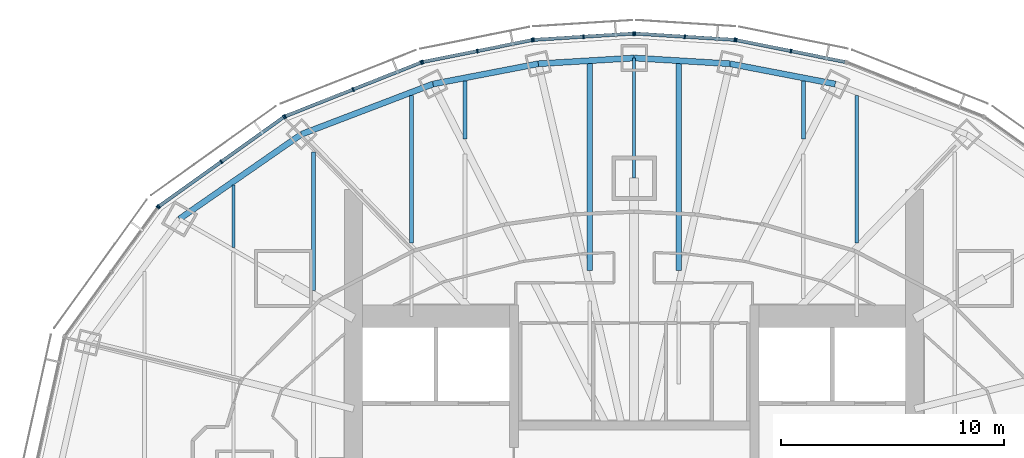
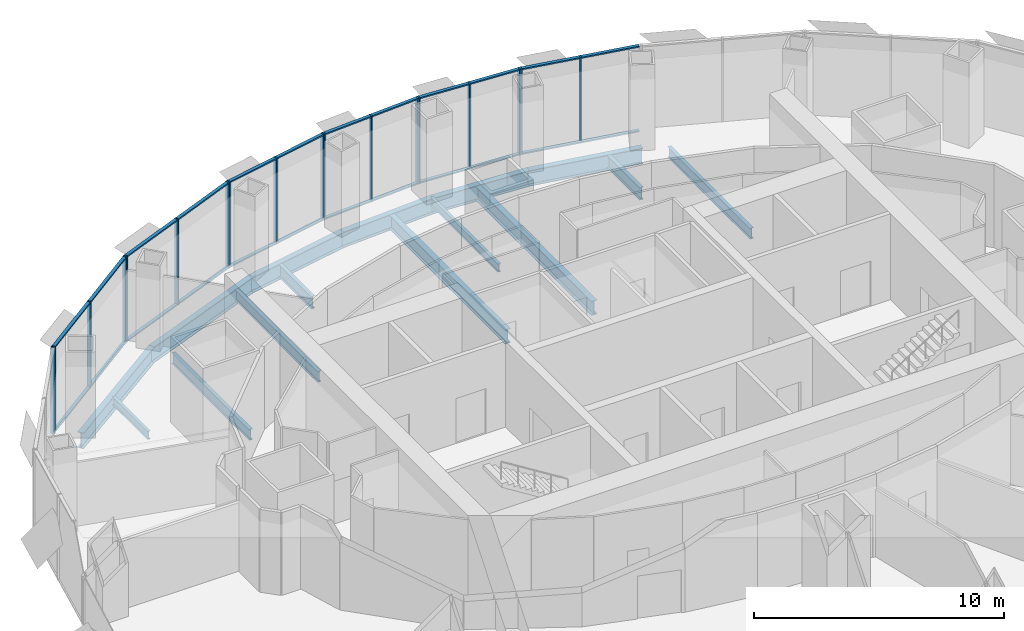
# One storey, part 8 of 17: 42 members, 15 beams, 7 elements without a shape of their own.
"""IFC4 building model written with IfcOpenShell, lengths in metres."""

from ifc_helpers import new_model, si_unit, direction, frame, origin, origin_2d, place, context, subcontext, project, spatial, rectangle, i_section, extrude, material, material_profile, profile_set, type_object, element, aggregate, save


model = new_model("IFC4")

# Units and contexts
model_context = context("Model", 3, precision=1e-05, world=origin(), true_north=direction((0.0, 1.0)))
body_context = subcontext(model_context, "Body", "Model", "MODEL_VIEW")
ifc_project = project(units=[si_unit("LENGTHUNIT", "METRE"), si_unit("AREAUNIT", "SQUARE_METRE"), si_unit("VOLUMEUNIT", "CUBIC_METRE"), si_unit("PLANEANGLEUNIT", "RADIAN"), si_unit("MASSUNIT", "GRAM", prefix="KILO")], contexts=[model_context])

# Site, building, storey
site_placement = place(None, origin())
site = spatial("IfcSite", under=ifc_project, at=site_placement, CompositionType="ELEMENT")
building_placement = place(site_placement, origin())
building = spatial("IfcBuilding", under=site, at=building_placement, Name="Lantaw Convention Tower", CompositionType="ELEMENT")
storey_placement = place(building_placement, frame((0.0, 0.0, 224.199951171875)))
storey = spatial("IfcBuildingStorey", under=building, at=storey_placement, Name="L52", CompositionType="ELEMENT", Elevation=224.199951171875)

# Beams
ifc_material_1 = material(Name="Steel ASTM A992", Category="steel")
ifc_material_profile_1 = material_profile(ifc_material_1, i_section(OverallWidth=0.2666015625, OverallDepth=0.76953125, WebThickness=0.015625, FlangeThickness=0.025390625, FilletRadius=0.0126953125, at=origin_2d()), Name="W30X132")
ifc_profile_set_1 = profile_set([ifc_material_profile_1], Name="Steel ASTM A992")
beam_type_1 = type_object("IfcBeamType", Name="Beam E W30X132", PredefinedType="SPANDREL", material=ifc_profile_set_1)
beam_1_placement = place(storey_placement, frame((9.03466796875, 17.7314453125, -0.53466796875), z_axis=(-0.981972091702, 0.189025953556, 0.0), x_axis=(-0.189025953556, -0.981972091702, 0.0)))
element("IfcBeam", 1, at=beam_1_placement, inside=storey, type_object=beam_type_1, Name="Edge beam 5", PredefinedType="SPANDREL", context=body_context, shape_type="SweptSolid", body=[
    extrude(i_section(OverallWidth=0.2666015625, OverallDepth=0.76953125, WebThickness=0.015625, FlangeThickness=0.025390625, FilletRadius=0.0126953125, at=origin_2d()), origin(), (0.0, 0.0, 1.0), 4.817626953125),
])
for number, where, z_axis, x_axis, name in (
    (2, (4.303955078125, 18.64208984375, -0.53466796875), (-0.998210730897, 0.059794119452, 0.0), (-0.059794119452, -0.998210730897, 0.0), "Edge beam 6"),
    (3, (0.0, 18.89990234375, -0.53466796875), (-0.998210730897, -0.059794119452, 0.0), (0.059794119452, -0.998210730897, 0.0), "Edge beam 7"),
):
    element("IfcBeam", number, at=place(storey_placement, frame(where, z_axis=z_axis, x_axis=x_axis)), inside=storey, type_object=beam_type_1, Name=name, PredefinedType="SPANDREL", context=body_context, shape_type="SweptSolid", body=[
        extrude(i_section(OverallWidth=0.2666015625, OverallDepth=0.76953125, WebThickness=0.015625, FlangeThickness=0.025390625, FilletRadius=0.0126953125, at=origin_2d()), origin(), (0.0, 0.0, 1.0), 4.311767578125),
    ])
beam_2_placement = place(storey_placement, frame((-4.303955078125, 18.64208984375, -0.53466796875), z_axis=(-0.981972091702, -0.189025953556, 0.0), x_axis=(0.189025953556, -0.981972091702, 0.0)))
element("IfcBeam", 4, at=beam_2_placement, inside=storey, type_object=beam_type_1, Name="Edge beam 8", PredefinedType="SPANDREL", context=body_context, shape_type="SweptSolid", body=[
    extrude(i_section(OverallWidth=0.2666015625, OverallDepth=0.76953125, WebThickness=0.015625, FlangeThickness=0.025390625, FilletRadius=0.0126953125, at=origin_2d()), origin(), (0.0, 0.0, 1.0), 4.817626953125),
])
beam_3_placement = place(storey_placement, frame((-9.03466796875, 17.7314453125, -0.53466796875), z_axis=(-0.934234988, -0.356658081637, 0.0), x_axis=(0.356658081637, -0.934234988, 0.0)))
element("IfcBeam", 5, at=beam_3_placement, inside=storey, type_object=beam_type_1, Name="Edge beam 9", PredefinedType="SPANDREL", context=body_context, shape_type="SweptSolid", body=[
    extrude(i_section(OverallWidth=0.2666015625, OverallDepth=0.76953125, WebThickness=0.015625, FlangeThickness=0.025390625, FilletRadius=0.0126953125, at=origin_2d()), origin(), (0.0, 0.0, 1.0), 6.32568359375),
])
beam_4_placement = place(storey_placement, frame((-14.9443359375, 15.475341796875, -0.53466796875), z_axis=(-0.82135329406, -0.570419815869, 0.0), x_axis=(0.570419815869, -0.82135329406, 0.0)))
element("IfcBeam", 6, at=beam_4_placement, inside=storey, type_object=beam_type_1, Name="Edge beam 10", PredefinedType="SPANDREL", context=body_context, shape_type="SweptSolid", body=[
    extrude(i_section(OverallWidth=0.2666015625, OverallDepth=0.76953125, WebThickness=0.015625, FlangeThickness=0.025390625, FilletRadius=0.0126953125, at=origin_2d()), origin(), (0.0, 0.0, 1.0), 6.67041015625),
])
ifc_material_profile_2 = material_profile(ifc_material_1, i_section(OverallWidth=0.140380859375, OverallDepth=0.40380859375, WebThickness=0.007080078125, FlangeThickness=0.01123046875, FilletRadius=0.01025390625, at=origin_2d()), Name="W16X31")
ifc_profile_set_2 = profile_set([ifc_material_profile_2], Name="Steel ASTM A992")
beam_type_2 = type_object("IfcBeamType", Name="Beam G W16X31", PredefinedType="BEAM", material=ifc_profile_set_2)
beam_5_placement = place(storey_placement, frame((0.0, 13.5, -0.351806640625), z_axis=(0.0, 1.0, 0.0), x_axis=(-1.0, 0.0, 0.0)))
element("IfcBeam", 7, at=beam_5_placement, inside=storey, type_object=beam_type_2, Name="Floor girder on ray 7", PredefinedType="BEAM", context=body_context, shape_type="SweptSolid", body=[
    extrude(i_section(OverallWidth=0.140380859375, OverallDepth=0.40380859375, WebThickness=0.007080078125, FlangeThickness=0.01123046875, FilletRadius=0.01025390625, at=origin_2d()), origin(), (0.0, 0.0, 1.0), 5.39990234375),
])
ifc_material_profile_3 = material_profile(ifc_material_1, i_section(OverallWidth=0.140380859375, OverallDepth=0.40380859375, WebThickness=0.007080078125, FlangeThickness=0.01123046875, FilletRadius=0.01025390625, at=origin_2d()), Name="W16X31")
ifc_profile_set_3 = profile_set([ifc_material_profile_3], Name="Steel ASTM A992")
beam_type_3 = type_object("IfcBeamType", Name="Beam J W16X31", PredefinedType="JOIST", material=ifc_profile_set_3)
beam_6_placement = place(storey_placement, frame((-18.0, 10.380859375, -0.351806640625), z_axis=(0.0, 1.0, 0.0), x_axis=(-1.0, 0.0, 0.0)))
element("IfcBeam", 8, at=beam_6_placement, inside=storey, type_object=beam_type_3, Name="Floor joist", PredefinedType="JOIST", context=body_context, shape_type="SweptSolid", body=[
    extrude(i_section(OverallWidth=0.140380859375, OverallDepth=0.40380859375, WebThickness=0.007080078125, FlangeThickness=0.01123046875, FilletRadius=0.01025390625, at=origin_2d()), origin(), (0.0, 0.0, 1.0), 2.81005859375),
])
ifc_material_profile_4 = material_profile(ifc_material_1, i_section(OverallWidth=0.1650390625, OverallDepth=0.52587890625, WebThickness=0.0087890625, FlangeThickness=0.011474609375, FilletRadius=0.0126953125, at=origin_2d()), Name="W21X44")
ifc_profile_set_4 = profile_set([ifc_material_profile_4], Name="Steel ASTM A992")
beam_type_4 = type_object("IfcBeamType", Name="Beam J W21X44", PredefinedType="JOIST", material=ifc_profile_set_4)
beam_7_placement = place(storey_placement, frame((-14.39990234375, 8.461181640625, -0.412841796875), z_axis=(0.0, 1.0, 0.0), x_axis=(-1.0, 0.0, 0.0)))
element("IfcBeam", 9, at=beam_7_placement, inside=storey, type_object=beam_type_4, Name="Floor joist", PredefinedType="JOIST", context=body_context, shape_type="SweptSolid", body=[
    extrude(i_section(OverallWidth=0.1650390625, OverallDepth=0.52587890625, WebThickness=0.0087890625, FlangeThickness=0.011474609375, FilletRadius=0.0126953125, at=origin_2d()), origin(), (0.0, 0.0, 1.0), 6.214599609375),
])
for number, where, z_axis, x_axis, name in (
    (10, (-10.0, 10.591064453125, -0.412841796875), (0.0, 1.0, 0.0), (-1.0, 0.0, 0.0), "Floor joist"),
    (11, (10.0, 10.591064453125, -0.412841796875), (0.0, 1.0, 0.0), (-1.0, 0.0, 0.0), "Floor joist"),
):
    element("IfcBeam", number, at=place(storey_placement, frame(where, z_axis=z_axis, x_axis=x_axis)), inside=storey, type_object=beam_type_4, Name=name, PredefinedType="JOIST", context=body_context, shape_type="SweptSolid", body=[
        extrude(i_section(OverallWidth=0.1650390625, OverallDepth=0.52587890625, WebThickness=0.0087890625, FlangeThickness=0.011474609375, FilletRadius=0.0126953125, at=origin_2d()), origin(), (0.0, 0.0, 1.0), 6.629150390625),
    ])
ifc_material_profile_5 = material_profile(ifc_material_1, i_section(OverallWidth=0.177978515625, OverallDepth=0.599365234375, WebThickness=0.010009765625, FlangeThickness=0.012939453125, FilletRadius=0.012939453125, at=origin_2d()), Name="W24X55")
ifc_profile_set_5 = profile_set([ifc_material_profile_5], Name="Steel ASTM A992")
beam_type_5 = type_object("IfcBeamType", Name="Beam J W24X55", PredefinedType="JOIST", material=ifc_profile_set_5)
for number, where, z_axis, x_axis, name in (
    (12, (-7.60009765625, 15.25439453125, -0.44970703125), (0.0, 1.0, 0.0), (-1.0, 0.0, 0.0), "Floor joist"),
    (13, (7.60009765625, 15.25439453125, -0.44970703125), (0.0, 1.0, 0.0), (-1.0, 0.0, 0.0), "Floor joist"),
):
    element("IfcBeam", number, at=place(storey_placement, frame(where, z_axis=z_axis, x_axis=x_axis)), inside=storey, type_object=beam_type_5, Name=name, PredefinedType="JOIST", context=body_context, shape_type="SweptSolid", body=[
        extrude(i_section(OverallWidth=0.177978515625, OverallDepth=0.599365234375, WebThickness=0.010009765625, FlangeThickness=0.012939453125, FilletRadius=0.012939453125, at=origin_2d()), origin(), (0.0, 0.0, 1.0), 2.617431640625),
    ])
ifc_material_profile_6 = material_profile(ifc_material_1, i_section(OverallWidth=0.25390625, OverallDepth=0.683349609375, WebThickness=0.012451171875, FlangeThickness=0.01904296875, FilletRadius=0.01513671875, at=origin_2d()), Name="W27X94")
ifc_profile_set_6 = profile_set([ifc_material_profile_6], Name="Steel ASTM A992")
beam_type_6 = type_object("IfcBeamType", Name="Beam J W27X94", PredefinedType="JOIST", material=ifc_profile_set_6)
for number, where, z_axis, x_axis, name in (
    (14, (-2.0, 9.34619140625, -0.49169921875), (0.0, 1.0, 0.0), (-1.0, 0.0, 0.0), "Floor joist"),
    (15, (2.0, 9.34619140625, -0.49169921875), (0.0, 1.0, 0.0), (-1.0, 0.0, 0.0), "Floor joist"),
):
    element("IfcBeam", number, at=place(storey_placement, frame(where, z_axis=z_axis, x_axis=x_axis)), inside=storey, type_object=beam_type_6, Name=name, PredefinedType="JOIST", context=body_context, shape_type="SweptSolid", body=[
        extrude(i_section(OverallWidth=0.25390625, OverallDepth=0.683349609375, WebThickness=0.012451171875, FlangeThickness=0.01904296875, FilletRadius=0.01513671875, at=origin_2d()), origin(), (0.0, 0.0, 1.0), 9.30029296875),
    ])

# Curtain wall, members
ifc_material_2 = material(Name="Aluminium framed curtain wall", Category="aluminium")
curtain_wall_type = type_object("IfcCurtainWallType", Name="Office curtain wall high rise, pale aluminium", PredefinedType="USERDEFINED", material=ifc_material_2)
curtain_wall_1_placement = place(storey_placement, origin())
curtain_wall_1 = element("IfcCurtainWall", 16, at=curtain_wall_1_placement, inside=storey, type_object=curtain_wall_type, Name="Office curtain wall high rise, pale aluminium L52", ObjectType="UNITISED CURTAIN WALL", PredefinedType="USERDEFINED")
ifc_material_3 = material(Name="Aluminium 6063-T6", Category="aluminium")
ifc_material_profile_7 = material_profile(ifc_material_3, rectangle(XDim=0.179931640625, YDim=0.06494140625, at=origin_2d()), Name="CW-O2 mullion 65x180")
ifc_profile_set_7 = profile_set([ifc_material_profile_7], Name="Aluminium 6063-T6")
member_type_1 = type_object("IfcMemberType", Name="CW-O2 mullion 65x180", PredefinedType="MULLION", material=ifc_profile_set_7)
member_1_placement = place(storey_placement, frame((7.042724609375, 19.212646484375, -0.14990234375), z_axis=(0.0, 0.0, 1.0), x_axis=(-0.197183095987, -0.980366679695, 0.0)))
member_1 = element("IfcMember", 17, at=member_1_placement, type_object=member_type_1, Name="CW-O2 mullion 2", PredefinedType="MULLION", context=body_context, shape_type="SweptSolid", body=[
    extrude(rectangle(XDim=0.179931640625, YDim=0.06494140625, at=origin_2d()), origin(), (0.0, 0.0, 1.0), 4.199951171875),
])
member_2_placement = place(storey_placement, frame((4.583251953125, 19.70751953125, -0.14990234375), z_axis=(0.0, 0.0, 1.0), x_axis=(-0.197183095987, -0.980366679695, 0.0)))
member_2 = element("IfcMember", 18, at=member_2_placement, type_object=member_type_1, Name="CW-O2 mullion 3", PredefinedType="MULLION", context=body_context, shape_type="SweptSolid", body=[
    extrude(rectangle(XDim=0.179931640625, YDim=0.06494140625, at=origin_2d()), origin(), (0.0, 0.0, 1.0), 4.199951171875),
])

curtain_wall_2_placement = place(storey_placement, origin())
curtain_wall_2 = element("IfcCurtainWall", 19, at=curtain_wall_2_placement, inside=storey, type_object=curtain_wall_type, Name="Office curtain wall high rise, pale aluminium L52", ObjectType="UNITISED CURTAIN WALL", PredefinedType="USERDEFINED")
member_3_placement = place(storey_placement, frame((4.518798828125, 19.7158203125, -0.14990234375), z_axis=(0.0, 0.0, 1.0), x_axis=(-0.062757983884, -0.998028774865, 0.0)))
member_3 = element("IfcMember", 20, at=member_3_placement, type_object=member_type_1, Name="CW-O2 mullion 1", PredefinedType="MULLION", context=body_context, shape_type="SweptSolid", body=[
    extrude(rectangle(XDim=0.179931640625, YDim=0.06494140625, at=origin_2d()), origin(), (0.0, 0.0, 1.0), 4.199951171875),
])
member_4_placement = place(storey_placement, frame((2.275634765625, 19.85693359375, -0.14990234375), z_axis=(0.0, 0.0, 1.0), x_axis=(-0.062757983884, -0.998028774865, 0.0)))
member_4 = element("IfcMember", 21, at=member_4_placement, type_object=member_type_1, Name="CW-O2 mullion 2", PredefinedType="MULLION", context=body_context, shape_type="SweptSolid", body=[
    extrude(rectangle(XDim=0.179931640625, YDim=0.06494140625, at=origin_2d()), origin(), (0.0, 0.0, 1.0), 4.199951171875),
])
member_5_placement = place(storey_placement, frame((0.032470703125, 19.998046875, -0.14990234375), z_axis=(0.0, 0.0, 1.0), x_axis=(-0.062757983884, -0.998028774865, 0.0)))
member_5 = element("IfcMember", 22, at=member_5_placement, type_object=member_type_1, Name="CW-O2 mullion 3", PredefinedType="MULLION", context=body_context, shape_type="SweptSolid", body=[
    extrude(rectangle(XDim=0.179931640625, YDim=0.06494140625, at=origin_2d()), origin(), (0.0, 0.0, 1.0), 4.199951171875),
])

curtain_wall_3_placement = place(storey_placement, origin())
curtain_wall_3 = element("IfcCurtainWall", 23, at=curtain_wall_3_placement, inside=storey, type_object=curtain_wall_type, Name="Office curtain wall high rise, pale aluminium L52", ObjectType="UNITISED CURTAIN WALL", PredefinedType="USERDEFINED")
member_6_placement = place(storey_placement, frame((-0.032470703125, 19.998046875, -0.14990234375), z_axis=(0.0, 0.0, 1.0), x_axis=(0.062757983884, -0.998028774865, 0.0)))
member_6 = element("IfcMember", 24, at=member_6_placement, type_object=member_type_1, Name="CW-O2 mullion 1", PredefinedType="MULLION", context=body_context, shape_type="SweptSolid", body=[
    extrude(rectangle(XDim=0.179931640625, YDim=0.06494140625, at=origin_2d()), origin(), (0.0, 0.0, 1.0), 4.199951171875),
])
member_7_placement = place(storey_placement, frame((-2.275634765625, 19.85693359375, -0.14990234375), z_axis=(0.0, 0.0, 1.0), x_axis=(0.062757983884, -0.998028774865, 0.0)))
member_7 = element("IfcMember", 25, at=member_7_placement, type_object=member_type_1, Name="CW-O2 mullion 2", PredefinedType="MULLION", context=body_context, shape_type="SweptSolid", body=[
    extrude(rectangle(XDim=0.179931640625, YDim=0.06494140625, at=origin_2d()), origin(), (0.0, 0.0, 1.0), 4.199951171875),
])
member_8_placement = place(storey_placement, frame((-4.518798828125, 19.7158203125, -0.14990234375), z_axis=(0.0, 0.0, 1.0), x_axis=(0.062757983884, -0.998028774865, 0.0)))
member_8 = element("IfcMember", 26, at=member_8_placement, type_object=member_type_1, Name="CW-O2 mullion 3", PredefinedType="MULLION", context=body_context, shape_type="SweptSolid", body=[
    extrude(rectangle(XDim=0.179931640625, YDim=0.06494140625, at=origin_2d()), origin(), (0.0, 0.0, 1.0), 4.199951171875),
])

curtain_wall_4_placement = place(storey_placement, origin())
curtain_wall_4 = element("IfcCurtainWall", 27, at=curtain_wall_4_placement, inside=storey, type_object=curtain_wall_type, Name="Office curtain wall high rise, pale aluminium L52", ObjectType="UNITISED CURTAIN WALL", PredefinedType="USERDEFINED")
member_9_placement = place(storey_placement, frame((-4.583251953125, 19.70751953125, -0.14990234375), z_axis=(0.0, 0.0, 1.0), x_axis=(0.197183095987, -0.980366679695, 0.0)))
member_9 = element("IfcMember", 28, at=member_9_placement, type_object=member_type_1, Name="CW-O2 mullion 1", PredefinedType="MULLION", context=body_context, shape_type="SweptSolid", body=[
    extrude(rectangle(XDim=0.179931640625, YDim=0.06494140625, at=origin_2d()), origin(), (0.0, 0.0, 1.0), 4.199951171875),
])
member_10_placement = place(storey_placement, frame((-7.042724609375, 19.212646484375, -0.14990234375), z_axis=(0.0, 0.0, 1.0), x_axis=(0.197183095987, -0.980366679695, 0.0)))
member_10 = element("IfcMember", 29, at=member_10_placement, type_object=member_type_1, Name="CW-O2 mullion 2", PredefinedType="MULLION", context=body_context, shape_type="SweptSolid", body=[
    extrude(rectangle(XDim=0.179931640625, YDim=0.06494140625, at=origin_2d()), origin(), (0.0, 0.0, 1.0), 4.199951171875),
])
member_11_placement = place(storey_placement, frame((-9.502197265625, 18.718017578125, -0.14990234375), z_axis=(0.0, 0.0, 1.0), x_axis=(0.197183095987, -0.980366679695, 0.0)))
member_11 = element("IfcMember", 30, at=member_11_placement, type_object=member_type_1, Name="CW-O2 mullion 3", PredefinedType="MULLION", context=body_context, shape_type="SweptSolid", body=[
    extrude(rectangle(XDim=0.179931640625, YDim=0.06494140625, at=origin_2d()), origin(), (0.0, 0.0, 1.0), 4.199951171875),
])

curtain_wall_5_placement = place(storey_placement, origin())
curtain_wall_5 = element("IfcCurtainWall", 31, at=curtain_wall_5_placement, inside=storey, type_object=curtain_wall_type, Name="Office curtain wall high rise, pale aluminium L52", ObjectType="UNITISED CURTAIN WALL", PredefinedType="USERDEFINED")
member_12_placement = place(storey_placement, frame((-9.564208984375, 18.69970703125, -0.14990234375), z_axis=(0.0, 0.0, 1.0), x_axis=(0.368162315252, -0.929761533743, 0.0)))
member_12 = element("IfcMember", 32, at=member_12_placement, type_object=member_type_1, Name="CW-O2 mullion 1", PredefinedType="MULLION", context=body_context, shape_type="SweptSolid", body=[
    extrude(rectangle(XDim=0.179931640625, YDim=0.06494140625, at=origin_2d()), origin(), (0.0, 0.0, 1.0), 4.199951171875),
])
member_13_placement = place(storey_placement, frame((-12.621337890625, 17.4892578125, -0.14990234375), z_axis=(0.0, 0.0, 1.0), x_axis=(0.368162315252, -0.929761533743, 0.0)))
member_13 = element("IfcMember", 33, at=member_13_placement, type_object=member_type_1, Name="CW-O2 mullion 2", PredefinedType="MULLION", context=body_context, shape_type="SweptSolid", body=[
    extrude(rectangle(XDim=0.179931640625, YDim=0.06494140625, at=origin_2d()), origin(), (0.0, 0.0, 1.0), 4.199951171875),
])
member_14_placement = place(storey_placement, frame((-15.67822265625, 16.278564453125, -0.14990234375), z_axis=(0.0, 0.0, 1.0), x_axis=(0.368162315252, -0.929761533743, 0.0)))
member_14 = element("IfcMember", 34, at=member_14_placement, type_object=member_type_1, Name="CW-O2 mullion 3", PredefinedType="MULLION", context=body_context, shape_type="SweptSolid", body=[
    extrude(rectangle(XDim=0.179931640625, YDim=0.06494140625, at=origin_2d()), origin(), (0.0, 0.0, 1.0), 4.199951171875),
])

curtain_wall_6_placement = place(storey_placement, origin())
curtain_wall_6 = element("IfcCurtainWall", 35, at=curtain_wall_6_placement, inside=storey, type_object=curtain_wall_type, Name="Office curtain wall high rise, pale aluminium L52", ObjectType="UNITISED CURTAIN WALL", PredefinedType="USERDEFINED")
member_15_placement = place(storey_placement, frame((-15.73486328125, 16.247802734375, -0.14990234375), z_axis=(0.0, 0.0, 1.0), x_axis=(0.581323487281, -0.813672540482, 0.0)))
member_15 = element("IfcMember", 36, at=member_15_placement, type_object=member_type_1, Name="CW-O2 mullion 1", PredefinedType="MULLION", context=body_context, shape_type="SweptSolid", body=[
    extrude(rectangle(XDim=0.179931640625, YDim=0.06494140625, at=origin_2d()), origin(), (0.0, 0.0, 1.0), 4.199951171875),
])
member_16_placement = place(storey_placement, frame((-18.543212890625, 14.241455078125, -0.14990234375), z_axis=(0.0, 0.0, 1.0), x_axis=(0.581323487281, -0.813672540482, 0.0)))
member_16 = element("IfcMember", 37, at=member_16_placement, type_object=member_type_1, Name="CW-O2 mullion 2", PredefinedType="MULLION", context=body_context, shape_type="SweptSolid", body=[
    extrude(rectangle(XDim=0.179931640625, YDim=0.06494140625, at=origin_2d()), origin(), (0.0, 0.0, 1.0), 4.199951171875),
])
member_17_placement = place(storey_placement, frame((-21.3515625, 12.23486328125, -0.14990234375), z_axis=(0.0, 0.0, 1.0), x_axis=(0.581323487281, -0.813672540482, 0.0)))
member_17 = element("IfcMember", 38, at=member_17_placement, type_object=member_type_1, Name="CW-O2 mullion 3", PredefinedType="MULLION", context=body_context, shape_type="SweptSolid", body=[
    extrude(rectangle(XDim=0.179931640625, YDim=0.06494140625, at=origin_2d()), origin(), (0.0, 0.0, 1.0), 4.199951171875),
])

# Curtain wall, member
curtain_wall_7_placement = place(storey_placement, origin())
curtain_wall_7 = element("IfcCurtainWall", 39, at=curtain_wall_7_placement, inside=storey, type_object=curtain_wall_type, Name="Office curtain wall high rise, pale aluminium L52", ObjectType="UNITISED CURTAIN WALL", PredefinedType="USERDEFINED")
member_18_placement = place(storey_placement, frame((-21.397216796875, 12.189697265625, -0.14990234375), z_axis=(0.0, 0.0, 1.0), x_axis=(0.810919559405, -0.585157643865, 0.0)))
member_18 = element("IfcMember", 40, at=member_18_placement, type_object=member_type_1, Name="CW-O2 mullion 1", PredefinedType="MULLION", context=body_context, shape_type="SweptSolid", body=[
    extrude(rectangle(XDim=0.179931640625, YDim=0.06494140625, at=origin_2d()), origin(), (0.0, 0.0, 1.0), 4.199951171875),
])
aggregate(curtain_wall_7, [member_18])

# Member
ifc_material_profile_8 = material_profile(ifc_material_3, rectangle(XDim=0.14990234375, YDim=0.06494140625, at=origin_2d()), Name="CW-O2 transom 65x150")
ifc_profile_set_8 = profile_set([ifc_material_profile_8], Name="Aluminium 6063-T6")
member_type_2 = type_object("IfcMemberType", Name="CW-O2 transom 65x150", PredefinedType="USERDEFINED", material=ifc_profile_set_8)
member_19_placement = place(storey_placement, frame((9.47021484375, 18.724365234375, -0.117431640625), z_axis=(-0.98036104319, 0.197211117829, 0.0), x_axis=(-0.197211117829, -0.98036104319, 0.0)))
member_19 = element("IfcMember", 41, at=member_19_placement, type_object=member_type_2, Name="CW-O2 transom 1.1", ObjectType="TRANSOM", PredefinedType="USERDEFINED", context=body_context, shape_type="SweptSolid", body=[
    extrude(rectangle(XDim=0.14990234375, YDim=0.06494140625, at=origin_2d()), origin(), (0.0, 0.0, 1.0), 2.44384765625),
])

member_20_placement = place(storey_placement, frame((9.47021484375, 18.724365234375, 4.017578125), z_axis=(-0.98036104319, 0.197211117829, 0.0), x_axis=(-0.197211117829, -0.98036104319, 0.0)))
member_20 = element("IfcMember", 42, at=member_20_placement, type_object=member_type_2, Name="CW-O2 transom 1.2", ObjectType="TRANSOM", PredefinedType="USERDEFINED", context=body_context, shape_type="SweptSolid", body=[
    extrude(rectangle(XDim=0.14990234375, YDim=0.06494140625, at=origin_2d()), origin(), (0.0, 0.0, 1.0), 2.44384765625),
])

member_21_placement = place(storey_placement, frame((7.0107421875, 19.21923828125, -0.117431640625), z_axis=(-0.980380354178, 0.197115096178, 0.0), x_axis=(-0.197115096178, -0.980380354178, 0.0)))
member_21 = element("IfcMember", 43, at=member_21_placement, type_object=member_type_2, Name="CW-O2 transom 2.1", ObjectType="TRANSOM", PredefinedType="USERDEFINED", context=body_context, shape_type="SweptSolid", body=[
    extrude(rectangle(XDim=0.14990234375, YDim=0.06494140625, at=origin_2d()), origin(), (0.0, 0.0, 1.0), 2.443603515625),
])

member_22_placement = place(storey_placement, frame((7.0107421875, 19.21923828125, 4.017578125), z_axis=(-0.980380354178, 0.197115096178, 0.0), x_axis=(-0.197115096178, -0.980380354178, 0.0)))
member_22 = element("IfcMember", 44, at=member_22_placement, type_object=member_type_2, Name="CW-O2 transom 2.2", ObjectType="TRANSOM", PredefinedType="USERDEFINED", context=body_context, shape_type="SweptSolid", body=[
    extrude(rectangle(XDim=0.14990234375, YDim=0.06494140625, at=origin_2d()), origin(), (0.0, 0.0, 1.0), 2.443603515625),
])

aggregate(curtain_wall_1, [member_1, member_2, member_19, member_20, member_21, member_22])

member_23_placement = place(storey_placement, frame((4.486328125, 19.7177734375, -0.117431640625), z_axis=(-0.998021991509, 0.062865765437, 0.0), x_axis=(-0.062865765437, -0.998021991509, 0.0)))
member_23 = element("IfcMember", 45, at=member_23_placement, type_object=member_type_2, Name="CW-O2 transom 1.1", ObjectType="TRANSOM", PredefinedType="USERDEFINED", context=body_context, shape_type="SweptSolid", body=[
    extrude(rectangle(XDim=0.14990234375, YDim=0.06494140625, at=origin_2d()), origin(), (0.0, 0.0, 1.0), 2.1826171875),
])

member_24_placement = place(storey_placement, frame((4.486328125, 19.7177734375, 4.017578125), z_axis=(-0.998021991509, 0.062865765437, 0.0), x_axis=(-0.062865765437, -0.998021991509, 0.0)))
member_24 = element("IfcMember", 46, at=member_24_placement, type_object=member_type_2, Name="CW-O2 transom 1.2", ObjectType="TRANSOM", PredefinedType="USERDEFINED", context=body_context, shape_type="SweptSolid", body=[
    extrude(rectangle(XDim=0.14990234375, YDim=0.06494140625, at=origin_2d()), origin(), (0.0, 0.0, 1.0), 2.1826171875),
])

member_25_placement = place(storey_placement, frame((2.2431640625, 19.85888671875, -0.117431640625), z_axis=(-0.998029003644, 0.062754345555, 0.0), x_axis=(-0.062754345555, -0.998029003644, 0.0)))
member_25 = element("IfcMember", 47, at=member_25_placement, type_object=member_type_2, Name="CW-O2 transom 2.1", ObjectType="TRANSOM", PredefinedType="USERDEFINED", context=body_context, shape_type="SweptSolid", body=[
    extrude(rectangle(XDim=0.14990234375, YDim=0.06494140625, at=origin_2d()), origin(), (0.0, 0.0, 1.0), 2.1826171875),
])

member_26_placement = place(storey_placement, frame((2.2431640625, 19.85888671875, 4.017578125), z_axis=(-0.998029003644, 0.062754345555, 0.0), x_axis=(-0.062754345555, -0.998029003644, 0.0)))
member_26 = element("IfcMember", 48, at=member_26_placement, type_object=member_type_2, Name="CW-O2 transom 2.2", ObjectType="TRANSOM", PredefinedType="USERDEFINED", context=body_context, shape_type="SweptSolid", body=[
    extrude(rectangle(XDim=0.14990234375, YDim=0.06494140625, at=origin_2d()), origin(), (0.0, 0.0, 1.0), 2.1826171875),
])

aggregate(curtain_wall_2, [member_3, member_4, member_5, member_23, member_24, member_25, member_26])

member_27_placement = place(storey_placement, frame((-0.06494140625, 19.995849609375, -0.117431640625), z_axis=(-0.998029003644, -0.062754345555, 0.0), x_axis=(0.062754345555, -0.998029003644, 0.0)))
member_27 = element("IfcMember", 49, at=member_27_placement, type_object=member_type_2, Name="CW-O2 transom 1.1", ObjectType="TRANSOM", PredefinedType="USERDEFINED", context=body_context, shape_type="SweptSolid", body=[
    extrude(rectangle(XDim=0.14990234375, YDim=0.06494140625, at=origin_2d()), origin(), (0.0, 0.0, 1.0), 2.1826171875),
])

member_28_placement = place(storey_placement, frame((-0.06494140625, 19.995849609375, 4.017578125), z_axis=(-0.998029003644, -0.062754345555, 0.0), x_axis=(0.062754345555, -0.998029003644, 0.0)))
member_28 = element("IfcMember", 50, at=member_28_placement, type_object=member_type_2, Name="CW-O2 transom 1.2", ObjectType="TRANSOM", PredefinedType="USERDEFINED", context=body_context, shape_type="SweptSolid", body=[
    extrude(rectangle(XDim=0.14990234375, YDim=0.06494140625, at=origin_2d()), origin(), (0.0, 0.0, 1.0), 2.1826171875),
])

member_29_placement = place(storey_placement, frame((-2.30810546875, 19.85498046875, -0.117431640625), z_axis=(-0.998021991509, -0.062865765437, 0.0), x_axis=(0.062865765437, -0.998021991509, 0.0)))
member_29 = element("IfcMember", 51, at=member_29_placement, type_object=member_type_2, Name="CW-O2 transom 2.1", ObjectType="TRANSOM", PredefinedType="USERDEFINED", context=body_context, shape_type="SweptSolid", body=[
    extrude(rectangle(XDim=0.14990234375, YDim=0.06494140625, at=origin_2d()), origin(), (0.0, 0.0, 1.0), 2.1826171875),
])

member_30_placement = place(storey_placement, frame((-2.30810546875, 19.85498046875, 4.017578125), z_axis=(-0.998021991509, -0.062865765437, 0.0), x_axis=(0.062865765437, -0.998021991509, 0.0)))
member_30 = element("IfcMember", 52, at=member_30_placement, type_object=member_type_2, Name="CW-O2 transom 2.2", ObjectType="TRANSOM", PredefinedType="USERDEFINED", context=body_context, shape_type="SweptSolid", body=[
    extrude(rectangle(XDim=0.14990234375, YDim=0.06494140625, at=origin_2d()), origin(), (0.0, 0.0, 1.0), 2.1826171875),
])

aggregate(curtain_wall_3, [member_6, member_7, member_8, member_27, member_28, member_29, member_30])

member_31_placement = place(storey_placement, frame((-4.614990234375, 19.700927734375, -0.117431640625), z_axis=(-0.980380354178, -0.197115096178, 0.0), x_axis=(0.197115096178, -0.980380354178, 0.0)))
member_31 = element("IfcMember", 53, at=member_31_placement, type_object=member_type_2, Name="CW-O2 transom 1.1", ObjectType="TRANSOM", PredefinedType="USERDEFINED", context=body_context, shape_type="SweptSolid", body=[
    extrude(rectangle(XDim=0.14990234375, YDim=0.06494140625, at=origin_2d()), origin(), (0.0, 0.0, 1.0), 2.443603515625),
])

member_32_placement = place(storey_placement, frame((-4.614990234375, 19.700927734375, 4.017578125), z_axis=(-0.980380354178, -0.197115096178, 0.0), x_axis=(0.197115096178, -0.980380354178, 0.0)))
member_32 = element("IfcMember", 54, at=member_32_placement, type_object=member_type_2, Name="CW-O2 transom 1.2", ObjectType="TRANSOM", PredefinedType="USERDEFINED", context=body_context, shape_type="SweptSolid", body=[
    extrude(rectangle(XDim=0.14990234375, YDim=0.06494140625, at=origin_2d()), origin(), (0.0, 0.0, 1.0), 2.443603515625),
])

member_33_placement = place(storey_placement, frame((-7.074462890625, 19.206298828125, -0.117431640625), z_axis=(-0.98036104319, -0.197211117829, 0.0), x_axis=(0.197211117829, -0.98036104319, 0.0)))
member_33 = element("IfcMember", 55, at=member_33_placement, type_object=member_type_2, Name="CW-O2 transom 2.1", ObjectType="TRANSOM", PredefinedType="USERDEFINED", context=body_context, shape_type="SweptSolid", body=[
    extrude(rectangle(XDim=0.14990234375, YDim=0.06494140625, at=origin_2d()), origin(), (0.0, 0.0, 1.0), 2.44384765625),
])

member_34_placement = place(storey_placement, frame((-7.074462890625, 19.206298828125, 4.017578125), z_axis=(-0.98036104319, -0.197211117829, 0.0), x_axis=(0.197211117829, -0.98036104319, 0.0)))
member_34 = element("IfcMember", 56, at=member_34_placement, type_object=member_type_2, Name="CW-O2 transom 2.2", ObjectType="TRANSOM", PredefinedType="USERDEFINED", context=body_context, shape_type="SweptSolid", body=[
    extrude(rectangle(XDim=0.14990234375, YDim=0.06494140625, at=origin_2d()), origin(), (0.0, 0.0, 1.0), 2.44384765625),
])

aggregate(curtain_wall_4, [member_9, member_10, member_11, member_31, member_32, member_33, member_34])

member_35_placement = place(storey_placement, frame((-9.594482421875, 18.687744140625, -0.117431640625), z_axis=(-0.929766642946, -0.368149412149, 0.0), x_axis=(0.368149412149, -0.929766642946, 0.0)))
member_35 = element("IfcMember", 57, at=member_35_placement, type_object=member_type_2, Name="CW-O2 transom 1.1", ObjectType="TRANSOM", PredefinedType="USERDEFINED", context=body_context, shape_type="SweptSolid", body=[
    extrude(rectangle(XDim=0.14990234375, YDim=0.06494140625, at=origin_2d()), origin(), (0.0, 0.0, 1.0), 3.222900390625),
])

member_36_placement = place(storey_placement, frame((-9.594482421875, 18.687744140625, 4.017578125), z_axis=(-0.929766642946, -0.368149412149, 0.0), x_axis=(0.368149412149, -0.929766642946, 0.0)))
member_36 = element("IfcMember", 58, at=member_36_placement, type_object=member_type_2, Name="CW-O2 transom 1.2", ObjectType="TRANSOM", PredefinedType="USERDEFINED", context=body_context, shape_type="SweptSolid", body=[
    extrude(rectangle(XDim=0.14990234375, YDim=0.06494140625, at=origin_2d()), origin(), (0.0, 0.0, 1.0), 3.222900390625),
])

member_37_placement = place(storey_placement, frame((-12.651611328125, 17.477294921875, -0.117431640625), z_axis=(-0.929740712354, -0.368214893495, 0.0), x_axis=(0.368214893495, -0.929740712354, 0.0)))
member_37 = element("IfcMember", 59, at=member_37_placement, type_object=member_type_2, Name="CW-O2 transom 2.1", ObjectType="TRANSOM", PredefinedType="USERDEFINED", context=body_context, shape_type="SweptSolid", body=[
    extrude(rectangle(XDim=0.14990234375, YDim=0.06494140625, at=origin_2d()), origin(), (0.0, 0.0, 1.0), 3.22314453125),
])

member_38_placement = place(storey_placement, frame((-12.651611328125, 17.477294921875, 4.017578125), z_axis=(-0.929740712354, -0.368214893495, 0.0), x_axis=(0.368214893495, -0.929740712354, 0.0)))
member_38 = element("IfcMember", 60, at=member_38_placement, type_object=member_type_2, Name="CW-O2 transom 2.2", ObjectType="TRANSOM", PredefinedType="USERDEFINED", context=body_context, shape_type="SweptSolid", body=[
    extrude(rectangle(XDim=0.14990234375, YDim=0.06494140625, at=origin_2d()), origin(), (0.0, 0.0, 1.0), 3.22314453125),
])

aggregate(curtain_wall_5, [member_12, member_13, member_14, member_35, member_36, member_37, member_38])

member_39_placement = place(storey_placement, frame((-15.761474609375, 16.22900390625, -0.117431640625), z_axis=(-0.813645780821, -0.581360940683, 0.0), x_axis=(0.581360940683, -0.813645780821, 0.0)))
member_39 = element("IfcMember", 61, at=member_39_placement, type_object=member_type_2, Name="CW-O2 transom 1.1", ObjectType="TRANSOM", PredefinedType="USERDEFINED", context=body_context, shape_type="SweptSolid", body=[
    extrude(rectangle(XDim=0.14990234375, YDim=0.06494140625, at=origin_2d()), origin(), (0.0, 0.0, 1.0), 3.386474609375),
])

member_40_placement = place(storey_placement, frame((-15.761474609375, 16.22900390625, 4.017578125), z_axis=(-0.813645780821, -0.581360940683, 0.0), x_axis=(0.581360940683, -0.813645780821, 0.0)))
member_40 = element("IfcMember", 62, at=member_40_placement, type_object=member_type_2, Name="CW-O2 transom 1.2", ObjectType="TRANSOM", PredefinedType="USERDEFINED", context=body_context, shape_type="SweptSolid", body=[
    extrude(rectangle(XDim=0.14990234375, YDim=0.06494140625, at=origin_2d()), origin(), (0.0, 0.0, 1.0), 3.386474609375),
])

member_41_placement = place(storey_placement, frame((-18.56982421875, 14.222412109375, -0.117431640625), z_axis=(-0.813679882592, -0.581313210468, 0.0), x_axis=(0.581313210468, -0.813679882592, 0.0)))
member_41 = element("IfcMember", 63, at=member_41_placement, type_object=member_type_2, Name="CW-O2 transom 2.1", ObjectType="TRANSOM", PredefinedType="USERDEFINED", context=body_context, shape_type="SweptSolid", body=[
    extrude(rectangle(XDim=0.14990234375, YDim=0.06494140625, at=origin_2d()), origin(), (0.0, 0.0, 1.0), 3.38623046875),
])

member_42_placement = place(storey_placement, frame((-18.56982421875, 14.222412109375, 4.017578125), z_axis=(-0.813679882592, -0.581313210468, 0.0), x_axis=(0.581313210468, -0.813679882592, 0.0)))
member_42 = element("IfcMember", 64, at=member_42_placement, type_object=member_type_2, Name="CW-O2 transom 2.2", ObjectType="TRANSOM", PredefinedType="USERDEFINED", context=body_context, shape_type="SweptSolid", body=[
    extrude(rectangle(XDim=0.14990234375, YDim=0.06494140625, at=origin_2d()), origin(), (0.0, 0.0, 1.0), 3.38623046875),
])

aggregate(curtain_wall_6, [member_15, member_16, member_17, member_39, member_40, member_41, member_42])

save(model, "model.ifc")
